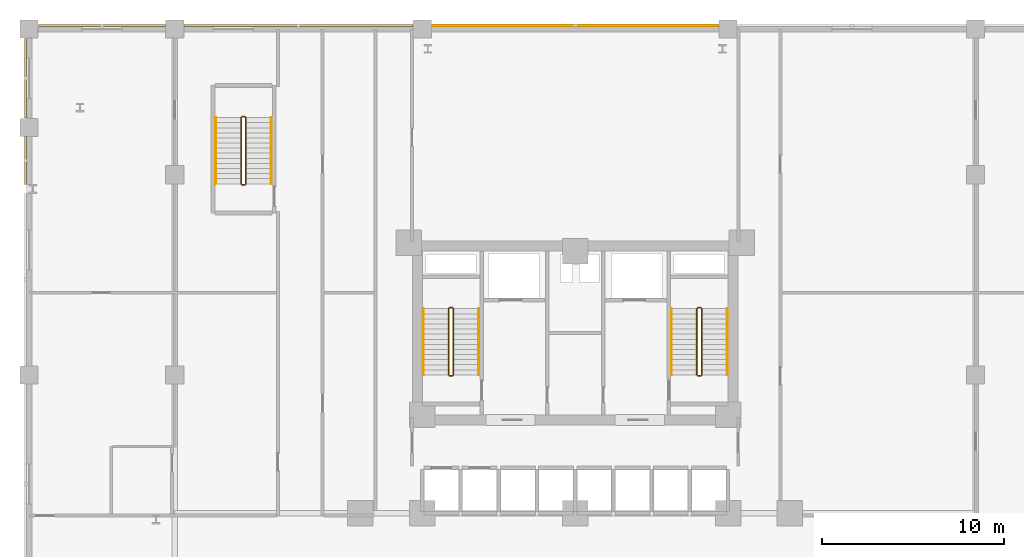
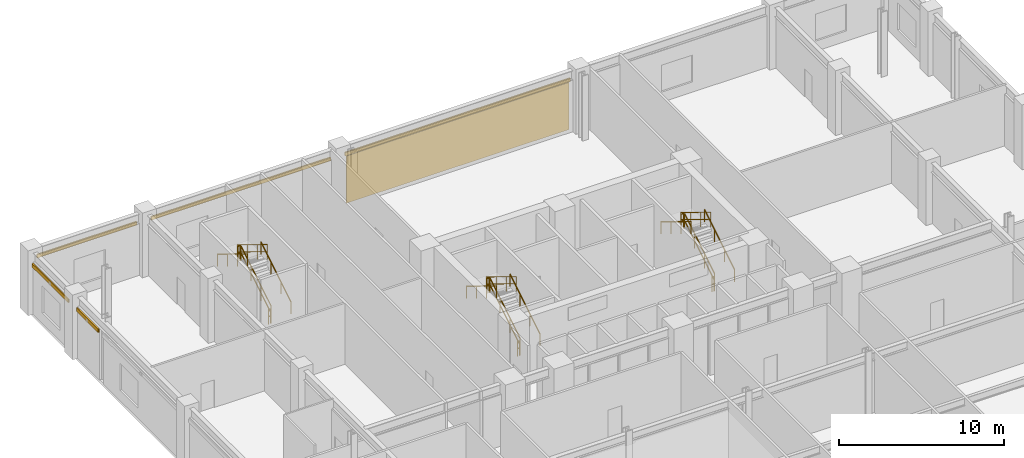
# One storey, part 43 of 48: 18 railings, 5 shading devices, 1 covering.
"""IFC4 building model written with IfcOpenShell, lengths in metres."""

import ifcopenshell
import ifcopenshell.guid

model = None  # the IFC model being written
_history = None  # IfcOwnerHistory: only IFC2X3 demands one
_inside = {}  # id of a spatial element -> (the spatial element, [elements in it])
_under = {}  # id of a project, library or spatial element -> (it, [spatial elements below it])
_declared = {}  # id of a project -> (the project, [libraries it declares])
_typed = {}  # id of a type object -> (the type object, [elements of that type])
_made_of = {}  # id of a material, layer set ... -> (it, [elements and type objects made of it])


def new_model(schema):
    """Start an empty IFC model of exactly this schema.

    Asked for "IFC4X3", IfcOpenShell would pick the latest addendum, in which some entities
    have other attributes; the version numbers below select the first issue.
    IFC2X3 requires an IfcOwnerHistory on every rooted entity: one is made here for all.
    """
    global model, _history
    if schema == "IFC4X3":
        model = ifcopenshell.file(schema_version=(4, 3, 0, 0))
    else:
        model = ifcopenshell.file(schema=schema)
    _inside.clear()
    _under.clear()
    _declared.clear()
    _typed.clear()
    _made_of.clear()
    _history = None
    if model.schema == "IFC2X3":
        org = make("IfcOrganization", Name="unknown")
        user = make(
            "IfcPersonAndOrganization",
            ThePerson=make("IfcPerson", FamilyName="unknown"),
            TheOrganization=org,
        )
        app = make(
            "IfcApplication",
            ApplicationDeveloper=org,
            Version="unknown",
            ApplicationFullName="unknown",
            ApplicationIdentifier="unknown",
        )
        _history = make(
            "IfcOwnerHistory",
            OwningUser=user,
            OwningApplication=app,
            ChangeAction="ADDED",
            CreationDate=0,
        )
    return model


def make(cls, **values):
    """One entity of the class cls with the attributes given. An attribute that is None is left unset."""
    return model.create_entity(
        cls, **{name: value for name, value in values.items() if value is not None}
    )


def rooted(cls, **values):
    """An entity with a GlobalId (a new one), such as an element, a storey or a relation."""
    return make(cls, GlobalId=ifcopenshell.guid.new(), OwnerHistory=_history, **values)


def si_unit(unit_type, name, prefix=None):
    """IfcSIUnit, for example si_unit("LENGTHUNIT", "METRE", prefix="MILLI")."""
    return make("IfcSIUnit", UnitType=unit_type, Prefix=prefix, Name=name)


def derived_unit(unit_type, elements):
    """IfcDerivedUnit: a product of units, each with its exponent."""
    return make(
        "IfcDerivedUnit",
        Elements=[
            make("IfcDerivedUnitElement", Unit=unit, Exponent=power)
            for unit, power in elements
        ],
        UnitType=unit_type,
    )


def assignment(units):
    """IfcUnitAssignment: the units of a project."""
    return None if units is None else make("IfcUnitAssignment", Units=units)


def point(xyz):
    """IfcCartesianPoint."""
    return None if xyz is None else make("IfcCartesianPoint", Coordinates=xyz)


def direction(xyz):
    """IfcDirection."""
    return None if xyz is None else make("IfcDirection", DirectionRatios=xyz)


def frame(location, z_axis=None, x_axis=None):
    """IfcAxis2Placement3D, a coordinate frame: its origin and axes. An axis left out is left unset."""
    return make(
        "IfcAxis2Placement3D",
        Location=point(location),
        Axis=direction(z_axis),
        RefDirection=direction(x_axis),
    )


def frame_2d(location, x_axis=None):
    """IfcAxis2Placement2D, a coordinate frame in the plane: its origin and x axis."""
    return make(
        "IfcAxis2Placement2D", Location=point(location), RefDirection=direction(x_axis)
    )


def origin():
    """The frame at (0, 0, 0) with its axes left unset."""
    return frame((0.0, 0.0, 0.0))


def origin_2d():
    """The frame at (0, 0) in the plane with its x axis left unset."""
    return frame_2d((0.0, 0.0))


def place(relative_to, where):
    """IfcLocalPlacement: puts the frame where relative to a parent placement (None: the world)."""
    return make(
        "IfcLocalPlacement", PlacementRelTo=relative_to, RelativePlacement=where
    )


def context(
    kind, dimensions, precision=None, world=None, true_north=None, identifier=None
):
    """IfcGeometricRepresentationContext, for example the 3D "Model" context."""
    return make(
        "IfcGeometricRepresentationContext",
        ContextIdentifier=identifier,
        ContextType=kind,
        CoordinateSpaceDimension=dimensions,
        Precision=precision,
        WorldCoordinateSystem=world,
        TrueNorth=true_north,
    )


def subcontext(parent, identifier, kind, view, scale=None):
    """IfcGeometricRepresentationSubContext, for example "Body" below "Model"."""
    return make(
        "IfcGeometricRepresentationSubContext",
        ContextIdentifier=identifier,
        ContextType=kind,
        ParentContext=parent,
        TargetScale=scale,
        TargetView=view,
    )


def project(units=None, contexts=None):
    """IfcProject with its units and contexts."""
    return rooted(
        "IfcProject",
        Name="project",
        RepresentationContexts=contexts,
        UnitsInContext=assignment(units),
    )


def spatial(cls, under=None, at=None, **own):
    """A site, building, storey or space (cls), placed at a placement, below another one or the project."""
    s = rooted(cls, ObjectPlacement=at, **own)
    if under is not None:
        _under.setdefault(under.id(), (under, []))[1].append(s)
    return s


def polyline(points):
    """IfcPolyline through the points."""
    return make("IfcPolyline", Points=[point(p) for p in points])


def profile(cls, at=None, kind="AREA", **sizes):
    """A parametric profile (cls). Its sizes go by their IFC names, for example OverallWidth=200.0."""
    return make(cls, ProfileType=kind, Position=at, **sizes)


def hollow_rectangle(**sizes):
    """IfcRectangleHollowProfileDef."""
    return profile("IfcRectangleHollowProfileDef", **sizes)


def circle(**sizes):
    """IfcCircleProfileDef."""
    return profile("IfcCircleProfileDef", **sizes)


def outline(outer, holes=None, kind="AREA"):
    """IfcArbitraryClosedProfileDef: a profile drawn as a closed curve; with holes, ...WithVoids."""
    if holes is None:
        return make("IfcArbitraryClosedProfileDef", ProfileType=kind, OuterCurve=outer)
    return make(
        "IfcArbitraryProfileDefWithVoids",
        ProfileType=kind,
        OuterCurve=outer,
        InnerCurves=holes,
    )


def extrude(swept, where, along, depth):
    """IfcExtrudedAreaSolid: the profile swept, set in the frame where, extruded along a direction by depth."""
    return make(
        "IfcExtrudedAreaSolid",
        SweptArea=swept,
        Position=where,
        ExtrudedDirection=direction(along),
        Depth=depth,
    )


def shape(context_of_items, identifier, shape_type, items):
    """IfcShapeRepresentation: the items that make up one representation, for example the "Body"."""
    return make(
        "IfcShapeRepresentation",
        ContextOfItems=context_of_items,
        RepresentationIdentifier=identifier,
        RepresentationType=shape_type,
        Items=items,
    )


def source(mapping_origin, context_of_items, identifier, shape_type, items):
    """IfcRepresentationMap: a shape defined once, which mapped items show again and again."""
    return make(
        "IfcRepresentationMap",
        MappingOrigin=mapping_origin,
        MappedRepresentation=shape(context_of_items, identifier, shape_type, items),
    )


def transform(
    local_origin,
    x_axis=None,
    y_axis=None,
    z_axis=None,
    scale=None,
    scale2=None,
    scale3=None,
    uniform=True,
):
    """IfcCartesianTransformationOperator3D, or its non-uniform kind. x_axis, y_axis, z_axis: its Axis1, 2, 3."""
    if uniform:
        return make(
            "IfcCartesianTransformationOperator3D",
            Axis1=direction(x_axis),
            Axis2=direction(y_axis),
            LocalOrigin=point(local_origin),
            Scale=scale,
            Axis3=direction(z_axis),
        )
    return make(
        "IfcCartesianTransformationOperator3DnonUniform",
        Axis1=direction(x_axis),
        Axis2=direction(y_axis),
        LocalOrigin=point(local_origin),
        Scale=scale,
        Axis3=direction(z_axis),
        Scale2=scale2,
        Scale3=scale3,
    )


def mapped(mapping_source, mapping_target):
    """IfcMappedItem: shows the shape of a source again, moved by a transform."""
    return make(
        "IfcMappedItem", MappingSource=mapping_source, MappingTarget=mapping_target
    )


def material(Name=None, Category=None):
    """IfcMaterial."""
    return make("IfcMaterial", Name=Name, Category=Category)


def layer(
    of_material, thickness, ventilated=None, Name=None, Category=None, Priority=None
):
    """IfcMaterialLayer: one layer of a wall or slab, of a material (None: an air gap)."""
    return make(
        "IfcMaterialLayer",
        Material=of_material,
        LayerThickness=thickness,
        IsVentilated=ventilated,
        Name=Name,
        Category=Category,
        Priority=Priority,
    )


def layer_set(layers, Name=None):
    """IfcMaterialLayerSet."""
    return make("IfcMaterialLayerSet", MaterialLayers=layers, LayerSetName=Name)


def material_profile(
    of_material, cross_section, Name=None, Category=None, Priority=None
):
    """IfcMaterialProfile: a cross section and its material."""
    return make(
        "IfcMaterialProfile",
        Name=Name,
        Material=of_material,
        Profile=cross_section,
        Priority=Priority,
        Category=Category,
    )


def profile_set(profiles, Name=None, composite=None):
    """IfcMaterialProfileSet."""
    return make(
        "IfcMaterialProfileSet",
        Name=Name,
        MaterialProfiles=profiles,
        CompositeProfile=composite,
    )


def made_of(thing, what):
    """Note that an element or type object is made of a material, layer set ...; save() writes the relation."""
    if what is not None:
        _made_of.setdefault(what.id(), (what, []))[1].append(thing)
    return thing


def type_object(cls, material=None, **own):
    """A type object (cls), such as IfcWallType, which elements share."""
    return made_of(rooted(cls, **own), material)


def element(
    cls,
    number,
    at=None,
    inside=None,
    cuts=None,
    type_object=None,
    material=None,
    context=None,
    identifier="Body",
    shape_type=None,
    held_by="IfcProductDefinitionShape",
    body=None,
    shapes=None,
    **own,
):
    """One element of the class cls, such as IfcWall. Its Tag is "e" and its number.

    at: its placement. inside: the storey or other place that contains it. cuts: it is an
    opening in that element (IfcRelVoidsElement). A single representation is given by context,
    identifier, shape_type and body (its items); several are given by shapes. held_by: the class
    of the entity that holds the representations. save() writes the other relations.
    """
    e = rooted(cls, Tag="e%d" % number, ObjectPlacement=at, **own)
    if body is not None:
        shapes = [shape(context, identifier, shape_type, body)]
    if shapes is not None:
        e.Representation = make(held_by, Representations=shapes)
    if inside is not None:
        _inside.setdefault(inside.id(), (inside, []))[1].append(e)
    if cuts is not None:
        rooted(
            "IfcRelVoidsElement", RelatingBuildingElement=cuts, RelatedOpeningElement=e
        )
    if type_object is not None:
        _typed.setdefault(type_object.id(), (type_object, []))[1].append(e)
    return made_of(e, material)


def aggregate(whole, parts):
    """IfcRelAggregates: a whole, such as a stair, and the parts it consists of."""
    return rooted("IfcRelAggregates", RelatingObject=whole, RelatedObjects=parts)


def save(model, path):
    """Write the relations noted so far, then the file.

    IfcRelAggregates (storeys below a building ...), IfcRelContainedInSpatialStructure (elements
    in a storey), IfcRelDefinesByType, IfcRelAssociatesMaterial and IfcRelDeclares: one each for
    every whole, place, type object, material and project.
    """
    for whole, parts in _under.values():
        aggregate(whole, parts)
    for where, things in _inside.values():
        rooted(
            "IfcRelContainedInSpatialStructure",
            RelatedElements=things,
            RelatingStructure=where,
        )
    for kind, things in _typed.values():
        rooted("IfcRelDefinesByType", RelatedObjects=things, RelatingType=kind)
    for what, things in _made_of.values():
        rooted("IfcRelAssociatesMaterial", RelatedObjects=things, RelatingMaterial=what)
    for by, libraries in _declared.values():
        rooted("IfcRelDeclares", RelatingContext=by, RelatedDefinitions=libraries)
    model.write(path)


model = new_model("IFC4")

# Units and contexts
model_context = context("Model", 3, precision=1e-05, world=origin(), true_north=direction((0.0, 1.0)))
body_context = subcontext(model_context, "Body", "Model", "MODEL_VIEW")
ifc_project = project(units=[si_unit("LENGTHUNIT", "METRE"), si_unit("AREAUNIT", "SQUARE_METRE"), si_unit("VOLUMEUNIT", "CUBIC_METRE"), si_unit("PLANEANGLEUNIT", "RADIAN"), si_unit("MASSUNIT", "GRAM", prefix="KILO"), derived_unit("THERMALTRANSMITTANCEUNIT", [(si_unit("POWERUNIT", "WATT"), 1), (si_unit("LENGTHUNIT", "METRE"), -2), (si_unit("THERMODYNAMICTEMPERATUREUNIT", "KELVIN"), -1)])], contexts=[model_context])

# Site, building, storey
site_placement = place(None, origin())
site = spatial("IfcSite", under=ifc_project, at=site_placement, CompositionType="ELEMENT")
building_placement = place(site_placement, origin())
building = spatial("IfcBuilding", under=site, at=building_placement, Name="Korsvarv Bourse and Concert Hall", CompositionType="ELEMENT")
storey_placement = place(building_placement, frame((0.0, 0.0, 4.800048828125)))
storey = spatial("IfcBuildingStorey", under=building, at=storey_placement, Name="L01", CompositionType="ELEMENT", Elevation=4.800048828125)

# Covering
ifc_material_1 = material(Name="Warm iron-oxide extruded terracotta rainscreen tile", Category="ceramic")
ifc_layer = layer(ifc_material_1, 0.044921875)
ifc_layer_set = layer_set([ifc_layer], Name="Warm iron-oxide extruded terracotta rainscreen tile")
covering_type = type_object("IfcCoveringType", Name="COV-CLD-TC", PredefinedType="CLADDING", material=ifc_layer_set)
covering_placement = place(storey_placement, origin())
element("IfcCovering", 1, at=covering_placement, inside=storey, type_object=covering_type, Name="L01 fluted terracotta cladding panel EW-L01-N3", PredefinedType="CLADDING", context=body_context, shape_type="SweptSolid", body=[
    extrude(outline(polyline([(28.18505859375, 59.155029296875), (43.81494140625, 59.155029296875), (43.81494140625, 59.199951171875), (28.18505859375, 59.199951171875), (28.18505859375, 59.155029296875)])), origin(), (0.0, 0.0, 1.0), 3.5),
])

# Railings
ifc_material_2 = material(Name="Painted Steel S355 stair well guardrail", Category="steel")
railing_type_1 = type_object("IfcRailingType", Name="RL-ST-GRD", PredefinedType="GUARDRAIL", material=ifc_material_2)
railing_1_placement = place(storey_placement, frame((29.31005859375, 40.0, 0.17138671875)))
element("IfcRailing", 2, at=railing_1_placement, inside=storey, type_object=railing_type_1, Name="L01 ST-T1 stair guard 1", PredefinedType="GUARDRAIL", context=body_context, shape_type="SweptSolid", body=[
    extrude(circle(Radius=0.02392578125, at=origin_2d()), frame((0.0, 0.0, 1.076171875), z_axis=(0.0, 0.852850264322, 0.5221555579), x_axis=(-1.0, 0.0, 0.0)), (0.0, 0.0, 1.0), 4.267822265625),
    extrude(circle(Radius=0.02392578125, at=origin_2d()), frame((0.0, 0.0, 0.550048828125), z_axis=(0.0, 0.852850264322, 0.5221555579), x_axis=(-1.0, 0.0, 0.0)), (0.0, 0.0, 1.0), 4.267822265625),
    extrude(circle(Radius=0.02099609375, at=origin_2d()), origin(), (0.0, 0.0, 1.0), 1.052001953125),
    extrude(circle(Radius=0.02099609375, at=origin_2d()), frame((0.0, 1.21337890625, 0.742919921875)), (0.0, 0.0, 1.0), 1.052001953125),
    extrude(circle(Radius=0.02099609375, at=origin_2d()), frame((0.0, 2.426513671875, 1.485595703125)), (0.0, 0.0, 1.0), 1.052001953125),
    extrude(circle(Radius=0.02099609375, at=origin_2d()), frame((0.0, 3.639892578125, 2.228515625)), (0.0, 0.0, 1.0), 1.052001953125),
])
railing_2_placement = place(storey_placement, frame((29.260009765625, 43.68994140625, 2.39990234375)))
element("IfcRailing", 3, at=railing_2_placement, inside=storey, type_object=railing_type_1, Name="L01 ST-T1 stair guard 2", PredefinedType="GUARDRAIL", context=body_context, shape_type="SweptSolid", body=[
    extrude(circle(Radius=0.02392578125, at=origin_2d()), frame((0.0, 0.0, 1.076171875), z_axis=(-1.0, 0.0, 0.0), x_axis=(0.0, -1.0, 0.0)), (0.0, 0.0, 1.0), 0.159912109375),
    extrude(circle(Radius=0.02392578125, at=origin_2d()), frame((0.0, 0.0, 0.550048828125), z_axis=(-1.0, 0.0, 0.0), x_axis=(0.0, -1.0, 0.0)), (0.0, 0.0, 1.0), 0.159912109375),
    extrude(circle(Radius=0.02099609375, at=origin_2d()), origin(), (0.0, 0.0, 1.0), 1.052001953125),
    extrude(circle(Radius=0.02099609375, at=origin_2d()), frame((-0.159912109375, 0.0, 0.0)), (0.0, 0.0, 1.0), 1.052001953125),
])
railing_3_placement = place(storey_placement, frame((29.050048828125, 43.639892578125, 2.5712890625)))
element("IfcRailing", 4, at=railing_3_placement, inside=storey, type_object=railing_type_1, Name="L01 ST-T1 stair guard 3", PredefinedType="GUARDRAIL", context=body_context, shape_type="SweptSolid", body=[
    extrude(circle(Radius=0.02392578125, at=origin_2d()), frame((0.0, 0.0, 1.076171875), z_axis=(0.0, -0.852824790078, 0.522197163366), x_axis=(1.0, 0.0, 0.0)), (0.0, 0.0, 1.0), 4.26806640625),
    extrude(circle(Radius=0.02392578125, at=origin_2d()), frame((0.0, 0.0, 0.550048828125), z_axis=(0.0, -0.852824790078, 0.522197163366), x_axis=(1.0, 0.0, 0.0)), (0.0, 0.0, 1.0), 4.26806640625),
    extrude(circle(Radius=0.02099609375, at=origin_2d()), origin(), (0.0, 0.0, 1.0), 1.052001953125),
    extrude(circle(Radius=0.02099609375, at=origin_2d()), frame((0.0, -1.21337890625, 0.742919921875)), (0.0, 0.0, 1.0), 1.052001953125),
    extrude(circle(Radius=0.02099609375, at=origin_2d()), frame((0.0, -2.426513671875, 1.48583984375)), (0.0, 0.0, 1.0), 1.052001953125),
    extrude(circle(Radius=0.02099609375, at=origin_2d()), frame((0.0, -3.639892578125, 2.228759765625)), (0.0, 0.0, 1.0), 1.052001953125),
])
railing_4_placement = place(storey_placement, frame((29.260009765625, 39.949951171875, 0.0)))
element("IfcRailing", 5, at=railing_4_placement, inside=storey, type_object=railing_type_1, Name="L01 ST-T1 stair guard 4", PredefinedType="GUARDRAIL", context=body_context, shape_type="SweptSolid", body=[
    extrude(circle(Radius=0.02392578125, at=origin_2d()), frame((0.0, 0.0, 1.076171875), z_axis=(-1.0, 0.0, 0.0), x_axis=(0.0, -1.0, 0.0)), (0.0, 0.0, 1.0), 0.159912109375),
    extrude(circle(Radius=0.02392578125, at=origin_2d()), frame((0.0, 0.0, 0.550048828125), z_axis=(-1.0, 0.0, 0.0), x_axis=(0.0, -1.0, 0.0)), (0.0, 0.0, 1.0), 0.159912109375),
    extrude(circle(Radius=0.02099609375, at=origin_2d()), origin(), (0.0, 0.0, 1.0), 1.052001953125),
    extrude(circle(Radius=0.02099609375, at=origin_2d()), frame((-0.159912109375, 0.0, 0.0)), (0.0, 0.0, 1.0), 1.052001953125),
])
railing_5_placement = place(storey_placement, frame((42.949951171875, 40.0, 0.17138671875)))
element("IfcRailing", 6, at=railing_5_placement, inside=storey, type_object=railing_type_1, Name="L01 ST-T2 stair guard 1", PredefinedType="GUARDRAIL", context=body_context, shape_type="SweptSolid", body=[
    extrude(circle(Radius=0.02392578125, at=origin_2d()), frame((0.0, 0.0, 1.076171875), z_axis=(0.0, 0.852850264322, 0.5221555579), x_axis=(-1.0, 0.0, 0.0)), (0.0, 0.0, 1.0), 4.267822265625),
    extrude(circle(Radius=0.02392578125, at=origin_2d()), frame((0.0, 0.0, 0.550048828125), z_axis=(0.0, 0.852850264322, 0.5221555579), x_axis=(-1.0, 0.0, 0.0)), (0.0, 0.0, 1.0), 4.267822265625),
    extrude(circle(Radius=0.02099609375, at=origin_2d()), origin(), (0.0, 0.0, 1.0), 1.052001953125),
    extrude(circle(Radius=0.02099609375, at=origin_2d()), frame((0.0, 1.21337890625, 0.742919921875)), (0.0, 0.0, 1.0), 1.052001953125),
    extrude(circle(Radius=0.02099609375, at=origin_2d()), frame((0.0, 2.426513671875, 1.485595703125)), (0.0, 0.0, 1.0), 1.052001953125),
    extrude(circle(Radius=0.02099609375, at=origin_2d()), frame((0.0, 3.639892578125, 2.228515625)), (0.0, 0.0, 1.0), 1.052001953125),
])
railing_6_placement = place(storey_placement, frame((42.89990234375, 43.68994140625, 2.39990234375)))
element("IfcRailing", 7, at=railing_6_placement, inside=storey, type_object=railing_type_1, Name="L01 ST-T2 stair guard 2", PredefinedType="GUARDRAIL", context=body_context, shape_type="SweptSolid", body=[
    extrude(circle(Radius=0.02392578125, at=origin_2d()), frame((0.0, 0.0, 1.076171875), z_axis=(-1.0, 0.0, 0.0), x_axis=(0.0, -1.0, 0.0)), (0.0, 0.0, 1.0), 0.159912109375),
    extrude(circle(Radius=0.02392578125, at=origin_2d()), frame((0.0, 0.0, 0.550048828125), z_axis=(-1.0, 0.0, 0.0), x_axis=(0.0, -1.0, 0.0)), (0.0, 0.0, 1.0), 0.159912109375),
    extrude(circle(Radius=0.02099609375, at=origin_2d()), origin(), (0.0, 0.0, 1.0), 1.052001953125),
    extrude(circle(Radius=0.02099609375, at=origin_2d()), frame((-0.159912109375, 0.0, 0.0)), (0.0, 0.0, 1.0), 1.052001953125),
])
railing_7_placement = place(storey_placement, frame((42.68994140625, 43.639892578125, 2.5712890625)))
element("IfcRailing", 8, at=railing_7_placement, inside=storey, type_object=railing_type_1, Name="L01 ST-T2 stair guard 3", PredefinedType="GUARDRAIL", context=body_context, shape_type="SweptSolid", body=[
    extrude(circle(Radius=0.02392578125, at=origin_2d()), frame((0.0, 0.0, 1.076171875), z_axis=(0.0, -0.852824790078, 0.522197163366), x_axis=(1.0, 0.0, 0.0)), (0.0, 0.0, 1.0), 4.26806640625),
    extrude(circle(Radius=0.02392578125, at=origin_2d()), frame((0.0, 0.0, 0.550048828125), z_axis=(0.0, -0.852824790078, 0.522197163366), x_axis=(1.0, 0.0, 0.0)), (0.0, 0.0, 1.0), 4.26806640625),
    extrude(circle(Radius=0.02099609375, at=origin_2d()), origin(), (0.0, 0.0, 1.0), 1.052001953125),
    extrude(circle(Radius=0.02099609375, at=origin_2d()), frame((0.0, -1.21337890625, 0.742919921875)), (0.0, 0.0, 1.0), 1.052001953125),
    extrude(circle(Radius=0.02099609375, at=origin_2d()), frame((0.0, -2.426513671875, 1.48583984375)), (0.0, 0.0, 1.0), 1.052001953125),
    extrude(circle(Radius=0.02099609375, at=origin_2d()), frame((0.0, -3.639892578125, 2.228759765625)), (0.0, 0.0, 1.0), 1.052001953125),
])
railing_8_placement = place(storey_placement, frame((42.89990234375, 39.949951171875, 0.0)))
element("IfcRailing", 9, at=railing_8_placement, inside=storey, type_object=railing_type_1, Name="L01 ST-T2 stair guard 4", PredefinedType="GUARDRAIL", context=body_context, shape_type="SweptSolid", body=[
    extrude(circle(Radius=0.02392578125, at=origin_2d()), frame((0.0, 0.0, 1.076171875), z_axis=(-1.0, 0.0, 0.0), x_axis=(0.0, -1.0, 0.0)), (0.0, 0.0, 1.0), 0.159912109375),
    extrude(circle(Radius=0.02392578125, at=origin_2d()), frame((0.0, 0.0, 0.550048828125), z_axis=(-1.0, 0.0, 0.0), x_axis=(0.0, -1.0, 0.0)), (0.0, 0.0, 1.0), 0.159912109375),
    extrude(circle(Radius=0.02099609375, at=origin_2d()), origin(), (0.0, 0.0, 1.0), 1.052001953125),
    extrude(circle(Radius=0.02099609375, at=origin_2d()), frame((-0.159912109375, 0.0, 0.0)), (0.0, 0.0, 1.0), 1.052001953125),
])
railing_9_placement = place(storey_placement, frame((17.909912109375, 50.5, 0.17138671875)))
element("IfcRailing", 10, at=railing_9_placement, inside=storey, type_object=railing_type_1, Name="L01 ST-PD1 stair guard 1", PredefinedType="GUARDRAIL", context=body_context, shape_type="SweptSolid", body=[
    extrude(circle(Radius=0.02392578125, at=origin_2d()), frame((0.0, 0.0, 1.076171875), z_axis=(0.0, 0.852850264322, 0.5221555579), x_axis=(-1.0, 0.0, 0.0)), (0.0, 0.0, 1.0), 4.267822265625),
    extrude(circle(Radius=0.02392578125, at=origin_2d()), frame((0.0, 0.0, 0.550048828125), z_axis=(0.0, 0.852850264322, 0.5221555579), x_axis=(-1.0, 0.0, 0.0)), (0.0, 0.0, 1.0), 4.267822265625),
    extrude(circle(Radius=0.02099609375, at=origin_2d()), origin(), (0.0, 0.0, 1.0), 1.052001953125),
    extrude(circle(Radius=0.02099609375, at=origin_2d()), frame((0.0, 1.21337890625, 0.742919921875)), (0.0, 0.0, 1.0), 1.052001953125),
    extrude(circle(Radius=0.02099609375, at=origin_2d()), frame((0.0, 2.426513671875, 1.485595703125)), (0.0, 0.0, 1.0), 1.052001953125),
    extrude(circle(Radius=0.02099609375, at=origin_2d()), frame((0.0, 3.639892578125, 2.228515625)), (0.0, 0.0, 1.0), 1.052001953125),
])
railing_10_placement = place(storey_placement, frame((17.860107421875, 54.18994140625, 2.39990234375)))
element("IfcRailing", 11, at=railing_10_placement, inside=storey, type_object=railing_type_1, Name="L01 ST-PD1 stair guard 2", PredefinedType="GUARDRAIL", context=body_context, shape_type="SweptSolid", body=[
    extrude(circle(Radius=0.02392578125, at=origin_2d()), frame((0.0, 0.0, 1.076171875), z_axis=(-1.0, 0.0, 0.0), x_axis=(0.0, -1.0, 0.0)), (0.0, 0.0, 1.0), 0.16015625),
    extrude(circle(Radius=0.02392578125, at=origin_2d()), frame((0.0, 0.0, 0.550048828125), z_axis=(-1.0, 0.0, 0.0), x_axis=(0.0, -1.0, 0.0)), (0.0, 0.0, 1.0), 0.16015625),
    extrude(circle(Radius=0.02099609375, at=origin_2d()), origin(), (0.0, 0.0, 1.0), 1.052001953125),
    extrude(circle(Radius=0.02099609375, at=origin_2d()), frame((-0.16015625, 0.0, 0.0)), (0.0, 0.0, 1.0), 1.052001953125),
])
railing_11_placement = place(storey_placement, frame((17.64990234375, 54.139892578125, 2.5712890625)))
element("IfcRailing", 12, at=railing_11_placement, inside=storey, type_object=railing_type_1, Name="L01 ST-PD1 stair guard 3", PredefinedType="GUARDRAIL", context=body_context, shape_type="SweptSolid", body=[
    extrude(circle(Radius=0.02392578125, at=origin_2d()), frame((0.0, 0.0, 1.076171875), z_axis=(0.0, -0.852824790078, 0.522197163366), x_axis=(1.0, 0.0, 0.0)), (0.0, 0.0, 1.0), 4.26806640625),
    extrude(circle(Radius=0.02392578125, at=origin_2d()), frame((0.0, 0.0, 0.550048828125), z_axis=(0.0, -0.852824790078, 0.522197163366), x_axis=(1.0, 0.0, 0.0)), (0.0, 0.0, 1.0), 4.26806640625),
    extrude(circle(Radius=0.02099609375, at=origin_2d()), origin(), (0.0, 0.0, 1.0), 1.052001953125),
    extrude(circle(Radius=0.02099609375, at=origin_2d()), frame((0.0, -1.21337890625, 0.742919921875)), (0.0, 0.0, 1.0), 1.052001953125),
    extrude(circle(Radius=0.02099609375, at=origin_2d()), frame((0.0, -2.426513671875, 1.48583984375)), (0.0, 0.0, 1.0), 1.052001953125),
    extrude(circle(Radius=0.02099609375, at=origin_2d()), frame((0.0, -3.639892578125, 2.228759765625)), (0.0, 0.0, 1.0), 1.052001953125),
])
railing_12_placement = place(storey_placement, frame((17.860107421875, 50.449951171875, 0.0)))
element("IfcRailing", 13, at=railing_12_placement, inside=storey, type_object=railing_type_1, Name="L01 ST-PD1 stair guard 4", PredefinedType="GUARDRAIL", context=body_context, shape_type="SweptSolid", body=[
    extrude(circle(Radius=0.02392578125, at=origin_2d()), frame((0.0, 0.0, 1.076171875), z_axis=(-1.0, 0.0, 0.0), x_axis=(0.0, -1.0, 0.0)), (0.0, 0.0, 1.0), 0.16015625),
    extrude(circle(Radius=0.02392578125, at=origin_2d()), frame((0.0, 0.0, 0.550048828125), z_axis=(-1.0, 0.0, 0.0), x_axis=(0.0, -1.0, 0.0)), (0.0, 0.0, 1.0), 0.16015625),
    extrude(circle(Radius=0.02099609375, at=origin_2d()), origin(), (0.0, 0.0, 1.0), 1.052001953125),
    extrude(circle(Radius=0.02099609375, at=origin_2d()), frame((-0.16015625, 0.0, 0.0)), (0.0, 0.0, 1.0), 1.052001953125),
])
ifc_material_3 = material(Name="Brushed stainless Steel S355 tubular handrail", Category="steel")
railing_type_2 = type_object("IfcRailingType", Name="RL-ST-HND", PredefinedType="HANDRAIL", material=ifc_material_3)
railing_13_placement = place(storey_placement, frame((30.7099609375, 40.0, 0.17138671875)))
element("IfcRailing", 14, at=railing_13_placement, inside=storey, type_object=railing_type_2, Name="L01 ST-T1 stair handrail 1", PredefinedType="HANDRAIL", context=body_context, shape_type="SweptSolid", body=[
    extrude(circle(Radius=0.02392578125, at=origin_2d()), frame((0.0, 0.0, 0.8759765625), z_axis=(0.0, 0.852850264322, 0.5221555579), x_axis=(-1.0, 0.0, 0.0)), (0.0, 0.0, 1.0), 4.267822265625),
    extrude(circle(Radius=0.02099609375, at=origin_2d()), origin(), (0.0, 0.0, 1.0), 0.851806640625),
    extrude(circle(Radius=0.02099609375, at=origin_2d()), frame((0.0, 1.21337890625, 0.742919921875)), (0.0, 0.0, 1.0), 0.851806640625),
    extrude(circle(Radius=0.02099609375, at=origin_2d()), frame((0.0, 2.426513671875, 1.485595703125)), (0.0, 0.0, 1.0), 0.851806640625),
    extrude(circle(Radius=0.02099609375, at=origin_2d()), frame((0.0, 3.639892578125, 2.228515625)), (0.0, 0.0, 1.0), 0.851806640625),
])
railing_14_placement = place(storey_placement, frame((27.64990234375, 43.639892578125, 2.5712890625)))
element("IfcRailing", 15, at=railing_14_placement, inside=storey, type_object=railing_type_2, Name="L01 ST-T1 stair handrail 2", PredefinedType="HANDRAIL", context=body_context, shape_type="SweptSolid", body=[
    extrude(circle(Radius=0.02392578125, at=origin_2d()), frame((0.0, 0.0, 0.8759765625), z_axis=(0.0, -0.852824790078, 0.522197163366), x_axis=(1.0, 0.0, 0.0)), (0.0, 0.0, 1.0), 4.26806640625),
    extrude(circle(Radius=0.02099609375, at=origin_2d()), origin(), (0.0, 0.0, 1.0), 0.851806640625),
    extrude(circle(Radius=0.02099609375, at=origin_2d()), frame((0.0, -1.21337890625, 0.742919921875)), (0.0, 0.0, 1.0), 0.851806640625),
    extrude(circle(Radius=0.02099609375, at=origin_2d()), frame((0.0, -2.426513671875, 1.48583984375)), (0.0, 0.0, 1.0), 0.851806640625),
    extrude(circle(Radius=0.02099609375, at=origin_2d()), frame((0.0, -3.639892578125, 2.228759765625)), (0.0, 0.0, 1.0), 0.851806640625),
])
railing_15_placement = place(storey_placement, frame((44.35009765625, 40.0, 0.17138671875)))
element("IfcRailing", 16, at=railing_15_placement, inside=storey, type_object=railing_type_2, Name="L01 ST-T2 stair handrail 1", PredefinedType="HANDRAIL", context=body_context, shape_type="SweptSolid", body=[
    extrude(circle(Radius=0.02392578125, at=origin_2d()), frame((0.0, 0.0, 0.8759765625), z_axis=(0.0, 0.852850264322, 0.5221555579), x_axis=(-1.0, 0.0, 0.0)), (0.0, 0.0, 1.0), 4.267822265625),
    extrude(circle(Radius=0.02099609375, at=origin_2d()), origin(), (0.0, 0.0, 1.0), 0.851806640625),
    extrude(circle(Radius=0.02099609375, at=origin_2d()), frame((0.0, 1.21337890625, 0.742919921875)), (0.0, 0.0, 1.0), 0.851806640625),
    extrude(circle(Radius=0.02099609375, at=origin_2d()), frame((0.0, 2.426513671875, 1.485595703125)), (0.0, 0.0, 1.0), 0.851806640625),
    extrude(circle(Radius=0.02099609375, at=origin_2d()), frame((0.0, 3.639892578125, 2.228515625)), (0.0, 0.0, 1.0), 0.851806640625),
])
railing_16_placement = place(storey_placement, frame((41.2900390625, 43.639892578125, 2.5712890625)))
element("IfcRailing", 17, at=railing_16_placement, inside=storey, type_object=railing_type_2, Name="L01 ST-T2 stair handrail 2", PredefinedType="HANDRAIL", context=body_context, shape_type="SweptSolid", body=[
    extrude(circle(Radius=0.02392578125, at=origin_2d()), frame((0.0, 0.0, 0.8759765625), z_axis=(0.0, -0.852824790078, 0.522197163366), x_axis=(1.0, 0.0, 0.0)), (0.0, 0.0, 1.0), 4.26806640625),
    extrude(circle(Radius=0.02099609375, at=origin_2d()), origin(), (0.0, 0.0, 1.0), 0.851806640625),
    extrude(circle(Radius=0.02099609375, at=origin_2d()), frame((0.0, -1.21337890625, 0.742919921875)), (0.0, 0.0, 1.0), 0.851806640625),
    extrude(circle(Radius=0.02099609375, at=origin_2d()), frame((0.0, -2.426513671875, 1.48583984375)), (0.0, 0.0, 1.0), 0.851806640625),
    extrude(circle(Radius=0.02099609375, at=origin_2d()), frame((0.0, -3.639892578125, 2.228759765625)), (0.0, 0.0, 1.0), 0.851806640625),
])
railing_17_placement = place(storey_placement, frame((19.31005859375, 50.5, 0.17138671875)))
element("IfcRailing", 18, at=railing_17_placement, inside=storey, type_object=railing_type_2, Name="L01 ST-PD1 stair handrail 1", PredefinedType="HANDRAIL", context=body_context, shape_type="SweptSolid", body=[
    extrude(circle(Radius=0.02392578125, at=origin_2d()), frame((0.0, 0.0, 0.8759765625), z_axis=(0.0, 0.852850264322, 0.5221555579), x_axis=(-1.0, 0.0, 0.0)), (0.0, 0.0, 1.0), 4.267822265625),
    extrude(circle(Radius=0.02099609375, at=origin_2d()), origin(), (0.0, 0.0, 1.0), 0.851806640625),
    extrude(circle(Radius=0.02099609375, at=origin_2d()), frame((0.0, 1.21337890625, 0.742919921875)), (0.0, 0.0, 1.0), 0.851806640625),
    extrude(circle(Radius=0.02099609375, at=origin_2d()), frame((0.0, 2.426513671875, 1.485595703125)), (0.0, 0.0, 1.0), 0.851806640625),
    extrude(circle(Radius=0.02099609375, at=origin_2d()), frame((0.0, 3.639892578125, 2.228515625)), (0.0, 0.0, 1.0), 0.851806640625),
])
railing_18_placement = place(storey_placement, frame((16.25, 54.139892578125, 2.5712890625)))
element("IfcRailing", 19, at=railing_18_placement, inside=storey, type_object=railing_type_2, Name="L01 ST-PD1 stair handrail 2", PredefinedType="HANDRAIL", context=body_context, shape_type="SweptSolid", body=[
    extrude(circle(Radius=0.02392578125, at=origin_2d()), frame((0.0, 0.0, 0.8759765625), z_axis=(0.0, -0.852824790078, 0.522197163366), x_axis=(1.0, 0.0, 0.0)), (0.0, 0.0, 1.0), 4.26806640625),
    extrude(circle(Radius=0.02099609375, at=origin_2d()), origin(), (0.0, 0.0, 1.0), 0.851806640625),
    extrude(circle(Radius=0.02099609375, at=origin_2d()), frame((0.0, -1.21337890625, 0.742919921875)), (0.0, 0.0, 1.0), 0.851806640625),
    extrude(circle(Radius=0.02099609375, at=origin_2d()), frame((0.0, -2.426513671875, 1.48583984375)), (0.0, 0.0, 1.0), 0.851806640625),
    extrude(circle(Radius=0.02099609375, at=origin_2d()), frame((0.0, -3.639892578125, 2.228759765625)), (0.0, 0.0, 1.0), 0.851806640625),
])

# Shading devices
ifc_material_4 = material(Name="Glazed extruded architectural terracotta", Category="ceramic")
ifc_material_profile = material_profile(ifc_material_4, hollow_rectangle(XDim=0.090087890625, YDim=0.260009765625, WallThickness=0.011962890625, at=origin_2d()), Name="TC-BAG 90x260")
ifc_profile_set = profile_set([ifc_material_profile], Name="Glazed extruded architectural terracotta")
shading_device_type = type_object("IfcShadingDeviceType", Name="SHD-BAG-1", PredefinedType="USERDEFINED", material=ifc_profile_set)
shared_shape_1 = source(origin(), body_context, "Body", "SweptSolid", [
    extrude(hollow_rectangle(XDim=0.090087890625, YDim=0.260009765625, WallThickness=0.011962890625, at=origin_2d()), origin(), (0.0, 0.0, 1.0), 12.590087890625),
])
shading_device_1_placement = place(storey_placement, frame((14.5048828125, 59.195068359375, 3.659912109375), z_axis=(1.0, 0.0, 0.0), x_axis=(0.0, 1.0, 0.0)))
element("IfcShadingDevice", 20, at=shading_device_1_placement, inside=storey, type_object=shading_device_type, Name="L01 terracotta baguette sunshade EW-L01-N2", ObjectType="BAGUETTE", PredefinedType="USERDEFINED", context=body_context, shape_type="MappedRepresentation", body=[
    mapped(shared_shape_1, transform((0.0, 0.0, 0.0), scale=1.0)),
])
shared_shape_2 = source(origin(), body_context, "Body", "SweptSolid", [
    extrude(hollow_rectangle(XDim=0.090087890625, YDim=0.260009765625, WallThickness=0.011962890625, at=origin_2d()), origin(), (0.0, 0.0, 1.0), 6.990234375),
])
shading_device_2_placement = place(storey_placement, frame((6.5048828125, 59.195068359375, 3.659912109375), z_axis=(1.0, 0.0, 0.0), x_axis=(0.0, 1.0, 0.0)))
element("IfcShadingDevice", 21, at=shading_device_2_placement, inside=storey, type_object=shading_device_type, Name="L01 terracotta baguette sunshade EW-L01-N1", ObjectType="BAGUETTE", PredefinedType="USERDEFINED", context=body_context, shape_type="MappedRepresentation", body=[
    mapped(shared_shape_2, transform((0.0, 0.0, 0.0), scale=1.0)),
])
shared_shape_3 = source(origin(), body_context, "Body", "SweptSolid", [
    extrude(hollow_rectangle(XDim=0.090087890625, YDim=0.260009765625, WallThickness=0.011962890625, at=origin_2d()), origin(), (0.0, 0.0, 1.0), 15.7900390625),
])
shading_device_3_placement = place(storey_placement, frame((28.10498046875, 59.195068359375, 3.659912109375), z_axis=(1.0, 0.0, 0.0), x_axis=(0.0, 1.0, 0.0)))
element("IfcShadingDevice", 22, at=shading_device_3_placement, inside=storey, type_object=shading_device_type, Name="L01 terracotta baguette sunshade EW-L01-N3", ObjectType="BAGUETTE", PredefinedType="USERDEFINED", context=body_context, shape_type="MappedRepresentation", body=[
    mapped(shared_shape_3, transform((0.0, 0.0, 0.0), scale=1.0)),
])
shared_shape_4 = source(origin(), body_context, "Body", "SweptSolid", [
    extrude(hollow_rectangle(XDim=0.090087890625, YDim=0.260009765625, WallThickness=0.011962890625, at=origin_2d()), origin(), (0.0, 0.0, 1.0), 2.6357421875),
])
shading_device_4_placement = place(storey_placement, frame((5.804931640625, 50.459228515625, 3.659912109375), z_axis=(0.0, 1.0, 0.0), x_axis=(-1.0, 0.0, 0.0)))
element("IfcShadingDevice", 23, at=shading_device_4_placement, inside=storey, type_object=shading_device_type, Name="L01 terracotta baguette sunshade EW-L01-W4-2", ObjectType="BAGUETTE", PredefinedType="USERDEFINED", context=body_context, shape_type="MappedRepresentation", body=[
    mapped(shared_shape_4, transform((0.0, 0.0, 0.0), scale=1.0)),
])
shared_shape_5 = source(origin(), body_context, "Body", "SweptSolid", [
    extrude(hollow_rectangle(XDim=0.090087890625, YDim=0.260009765625, WallThickness=0.011962890625, at=origin_2d()), origin(), (0.0, 0.0, 1.0), 4.39013671875),
])
shading_device_5_placement = place(storey_placement, frame((5.804931640625, 54.10498046875, 3.659912109375), z_axis=(0.0, 1.0, 0.0), x_axis=(-1.0, 0.0, 0.0)))
element("IfcShadingDevice", 24, at=shading_device_5_placement, inside=storey, type_object=shading_device_type, Name="L01 terracotta baguette sunshade EW-L01-W5", ObjectType="BAGUETTE", PredefinedType="USERDEFINED", context=body_context, shape_type="MappedRepresentation", body=[
    mapped(shared_shape_5, transform((0.0, 0.0, 0.0), scale=1.0)),
])

save(model, "model.ifc")
